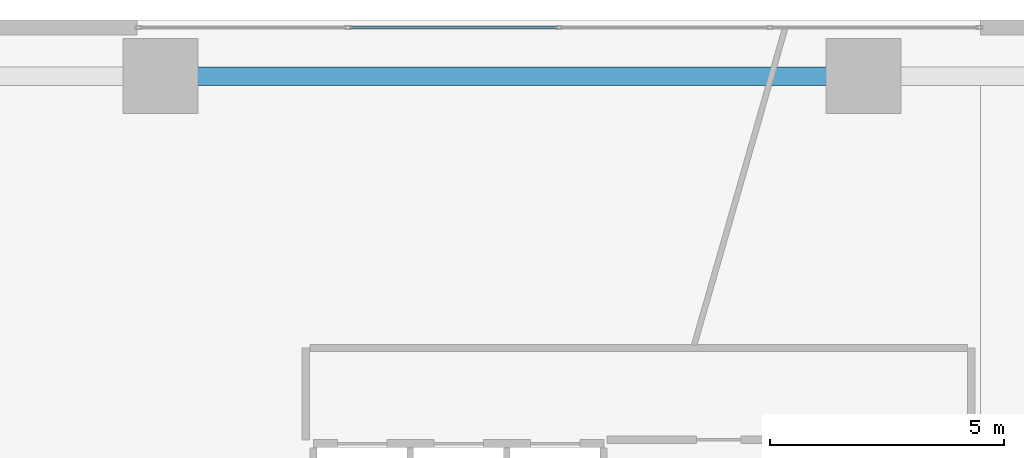
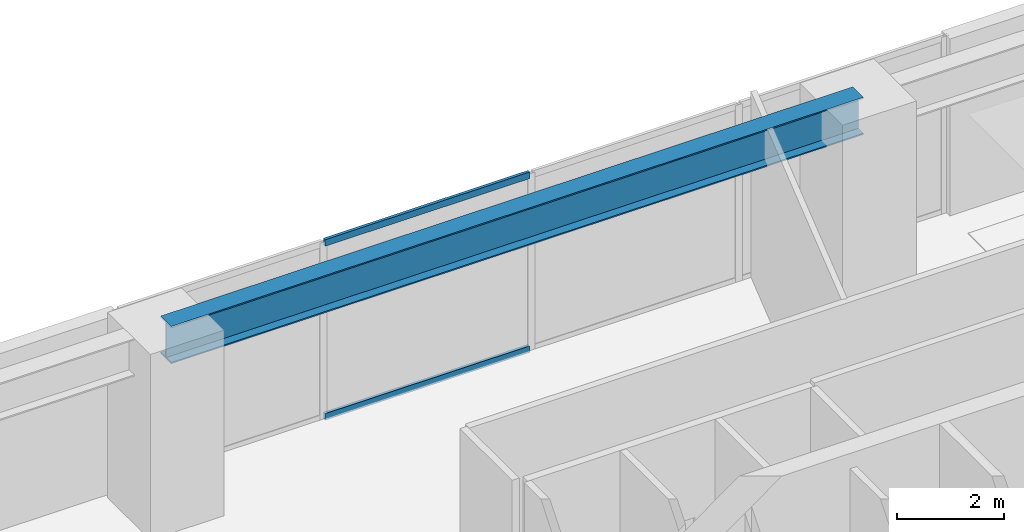
# One storey, part 12 of 25: 2 members, 1 beam, 1 element without a shape of its own.
"""IFC4 building model written with IfcOpenShell, lengths in metres."""

from ifc_helpers import new_model, si_unit, direction, frame, origin, origin_2d, place, context, subcontext, project, spatial, hollow_rectangle, i_section, extrude, source, transform, mapped, material, layer, layer_set, material_profile, profile_set, type_object, type_shapes, element, aggregate, save


model = new_model("IFC4")

# Units and contexts
model_context = context("Model", 3, precision=1e-05, world=origin(), true_north=direction((0.0, 1.0)))
body_context = subcontext(model_context, "Body", "Model", "MODEL_VIEW")
ifc_project = project(units=[si_unit("LENGTHUNIT", "METRE"), si_unit("AREAUNIT", "SQUARE_METRE"), si_unit("VOLUMEUNIT", "CUBIC_METRE"), si_unit("PLANEANGLEUNIT", "RADIAN"), si_unit("MASSUNIT", "GRAM", prefix="KILO")], contexts=[model_context])

# Site, building, storey
site_placement = place(None, origin())
site = spatial("IfcSite", under=ifc_project, at=site_placement, CompositionType="ELEMENT")
building_placement = place(site_placement, origin())
building = spatial("IfcBuilding", under=site, at=building_placement, Name="Talar Marvaseh", CompositionType="ELEMENT")
storey_placement = place(building_placement, frame((0.0, 0.0, 14.39990234375)))
storey = spatial("IfcBuildingStorey", under=building, at=storey_placement, Name="L03", CompositionType="ELEMENT", Elevation=14.39990234375)

# Beam
ifc_material_1 = material(Name="Steel S355", Category="steel")
ifc_material_profile_1 = material_profile(ifc_material_1, i_section(OverallWidth=0.39990234375, OverallDepth=0.85498046875, WebThickness=0.018310546875, FlangeThickness=0.029296875, at=origin_2d()), Name="W840x299")
ifc_profile_set_1 = profile_set([ifc_material_profile_1], Name="Steel S355")
beam_type = type_object("IfcBeamType", Name="Concourse Primary Girder W840x299", PredefinedType="BEAM", material=ifc_profile_set_1)
beam_placement = place(storey_placement, frame((18.5, 46.800048828125, 3.822509765625), z_axis=(1.0, 0.0, 0.0), x_axis=(0.0, 1.0, 0.0)))
element("IfcBeam", 1, at=beam_placement, inside=storey, type_object=beam_type, Name="L03 Concourse Primary Girder W840x299", PredefinedType="BEAM", context=body_context, shape_type="SweptSolid", body=[
    extrude(i_section(OverallWidth=0.39990234375, OverallDepth=0.85498046875, WebThickness=0.018310546875, FlangeThickness=0.029296875, at=origin_2d()), origin(), (0.0, 0.0, 1.0), 15.0),
])

# Curtain wall, members
ifc_material_2 = material(Name="Architectural Aluminium", Category="aluminium")
ifc_layer = layer(ifc_material_2, 0.25)
ifc_layer_set = layer_set([ifc_layer], Name="Architectural Aluminium")
curtain_wall_type = type_object("IfcCurtainWallType", Name="Station Podium Monumental Iwan Curtain Wall", PredefinedType="NOTDEFINED", material=ifc_layer_set)
curtain_wall_placement = place(storey_placement, origin())
curtain_wall = element("IfcCurtainWall", 2, at=curtain_wall_placement, inside=storey, type_object=curtain_wall_type, Name="L03 Station Podium Monumental Iwan Curtain Wall", PredefinedType="NOTDEFINED")
ifc_material_profile_2 = material_profile(ifc_material_2, hollow_rectangle(XDim=0.06494140625, YDim=0.14990234375, WallThickness=0.00390625, at=origin_2d()), Name="RHS150x65x4")
ifc_profile_set_2 = profile_set([ifc_material_profile_2], Name="Architectural Aluminium")
member_type = type_object("IfcMemberType", Name="Unitised Curtain Wall Slim Transom RHS150x65x4", PredefinedType="USERDEFINED", material=ifc_profile_set_2)
shared_shape = source(origin(), body_context, "Body", "SweptSolid", [
    extrude(hollow_rectangle(XDim=0.06494140625, YDim=0.14990234375, WallThickness=0.00390625, at=origin_2d()), origin(), (0.0, 0.0, 1.0), 4.43505859375),
])
type_shapes(member_type, [shared_shape])
member_1_placement = place(storey_placement, frame((22.532470703125, 47.840087890625, 0.03271484375), z_axis=(1.0, 0.0, 0.0), x_axis=(0.0, 1.0, 0.0)))
member_1 = element("IfcMember", 3, at=member_1_placement, type_object=member_type, Name="CW-POD transom 2.1", ObjectType="TRANSOM", PredefinedType="USERDEFINED", context=body_context, shape_type="MappedRepresentation", body=[
    mapped(shared_shape, transform((0.0, 0.0, 0.0), x_axis=(1.0, 0.0, 0.0), y_axis=(0.0, 1.0, 0.0), z_axis=(0.0, 0.0, 1.0), scale=1.0)),
])
member_2_placement = place(storey_placement, frame((22.532470703125, 47.840087890625, 4.017578125), z_axis=(1.0, 0.0, 0.0), x_axis=(0.0, 1.0, 0.0)))
member_2 = element("IfcMember", 4, at=member_2_placement, type_object=member_type, Name="CW-POD transom 2.2", ObjectType="TRANSOM", PredefinedType="USERDEFINED", context=body_context, shape_type="MappedRepresentation", body=[
    mapped(shared_shape, transform((0.0, 0.0, 0.0), x_axis=(1.0, 0.0, 0.0), y_axis=(0.0, 1.0, 0.0), z_axis=(0.0, 0.0, 1.0), scale=1.0)),
])
aggregate(curtain_wall, [member_1, member_2])

save(model, "model.ifc")
